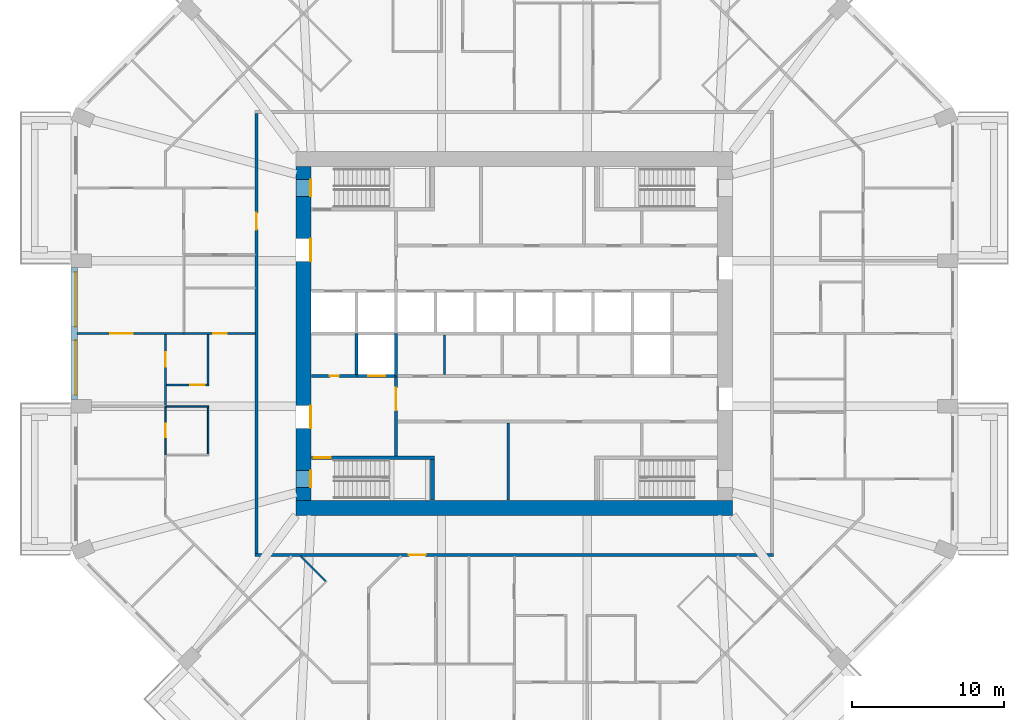
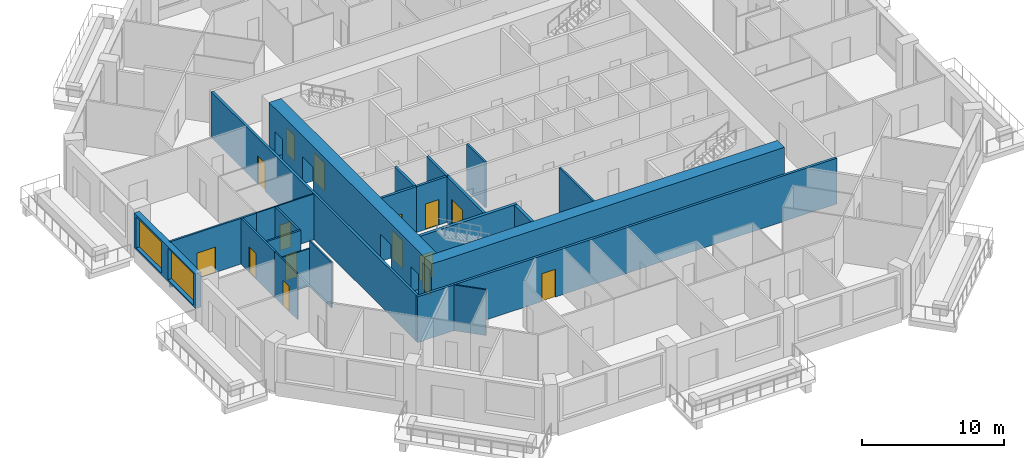
# One storey, part 4 of 13: 23 walls, 15 doors, 2 windows, 17 openings.
"""IFC4 building model written with IfcOpenShell, lengths in metres."""

from ifc_helpers import new_model, si_unit, direction, frame, frame_2d, origin, place, context, subcontext, project, spatial, rectangle, extrude, material, layer, layer_set, type_object, element, fill, save


model = new_model("IFC4")

# Units and contexts
model_context = context("Model", 3, precision=1e-05, world=origin(), true_north=direction((0.0, 1.0)))
body_context = subcontext(model_context, "Body", "Model", "MODEL_VIEW")
ifc_project = project(units=[si_unit("LENGTHUNIT", "METRE"), si_unit("AREAUNIT", "SQUARE_METRE"), si_unit("VOLUMEUNIT", "CUBIC_METRE"), si_unit("PLANEANGLEUNIT", "RADIAN"), si_unit("MASSUNIT", "GRAM", prefix="KILO")], contexts=[model_context])

# Site, building, storey
site_placement = place(None, origin())
site = spatial("IfcSite", under=ifc_project, at=site_placement, CompositionType="ELEMENT")
building_placement = place(site_placement, origin())
building = spatial("IfcBuilding", under=site, at=building_placement, Name="Msitu Wima Residences", CompositionType="ELEMENT")
storey_placement = place(building_placement, frame((0.0, 0.0, 33.89990234375)))
storey = spatial("IfcBuildingStorey", under=building, at=storey_placement, Name="L07", CompositionType="ELEMENT", Elevation=33.89990234375)

# Wall, openings, windows
ifc_material_1 = material(Name="Brick (red buff mix)", Category="masonry")
ifc_layer_1 = layer(ifc_material_1, 0.449951171875)
ifc_layer_set_1 = layer_set([ifc_layer_1], Name="Brick (red buff mix)")
wall_type_1 = type_object("IfcWallType", Name="Brick infill wall BW450", PredefinedType="SOLIDWALL", material=ifc_layer_set_1)
wall_1_placement = place(storey_placement, frame((-29.02490234375, 4.35009765625, 0.900146484375), z_axis=(0.0, 0.0, 1.0), x_axis=(0.0, -1.0, 0.0)))
wall_1 = element("IfcWall", 1, at=wall_1_placement, inside=storey, type_object=wall_type_1, Name="Brick infill wall L07 W1", PredefinedType="SOLIDWALL", context=body_context, shape_type="SweptSolid", body=[
    extrude(rectangle(XDim=8.7001953125, YDim=0.449951171875, at=frame_2d((4.35009765625, 0.0))), origin(), (0.0, 0.0, 1.0), 3.0),
])
opening_1_placement = place(wall_1_placement, frame((0.300048828125, 0.0, 0.14990234375)))
opening_1 = element("IfcOpeningElement", 2, at=opening_1_placement, cuts=wall_1, Name="Opening W05-07.028", PredefinedType="OPENING", context=body_context, shape_type="SweptSolid", body=[
    extrude(rectangle(XDim=3.60009765625, YDim=2.699951171875, at=frame_2d((1.800048828125, 1.35009765625))), frame((0.0, 0.23486328125, 0.0), z_axis=(0.0, -1.0, 0.0), x_axis=(1.0, 0.0, 0.0)), (0.0, 0.0, 1.0), 0.469970703125),
])
opening_2_placement = place(wall_1_placement, frame((4.800048828125, 0.0, 0.14990234375)))
opening_2 = element("IfcOpeningElement", 3, at=opening_2_placement, cuts=wall_1, Name="Opening W05-07.029", PredefinedType="OPENING", context=body_context, shape_type="SweptSolid", body=[
    extrude(rectangle(XDim=3.60009765625, YDim=2.699951171875, at=frame_2d((1.800048828125, 1.35009765625))), frame((0.0, 0.23486328125, 0.0), z_axis=(0.0, -1.0, 0.0), x_axis=(1.0, 0.0, 0.0)), (0.0, 0.0, 1.0), 0.469970703125),
])
ifc_material_2 = material(Name="Anodised aluminium, bronze finish, clear low-emissivity double glazing", Category="aluminium")
window_type = type_object("IfcWindowType", Name="Window W3600x2700", PartitioningType="DOUBLE_PANEL_VERTICAL", PredefinedType="WINDOW", material=ifc_material_2)
window_1_placement = place(opening_1_placement, origin())
window_1 = element("IfcWindow", 4, at=window_1_placement, inside=storey, type_object=window_type, Name="Window L07 W1.1", OverallHeight=2.699951171875, OverallWidth=3.60009765625, PartitioningType="SINGLE_PANEL", PredefinedType="WINDOW", context=body_context, shape_type="SweptSolid", body=[
    extrude(rectangle(XDim=3.60009765625, YDim=2.699951171875, at=frame_2d((1.800048828125, 1.35009765625))), frame((0.0, 0.135009765625, 0.0), z_axis=(0.0, -1.0, 0.0), x_axis=(1.0, 0.0, 0.0)), (0.0, 0.0, 1.0), 0.06005859375),
])
fill(opening_1, window_1)
window_2_placement = place(opening_2_placement, origin())
window_2 = element("IfcWindow", 5, at=window_2_placement, inside=storey, type_object=window_type, Name="Window L07 W1.2", OverallHeight=2.699951171875, OverallWidth=3.60009765625, PartitioningType="SINGLE_PANEL", PredefinedType="WINDOW", context=body_context, shape_type="SweptSolid", body=[
    extrude(rectangle(XDim=3.60009765625, YDim=2.699951171875, at=frame_2d((1.800048828125, 1.35009765625))), frame((0.0, 0.135009765625, 0.0), z_axis=(0.0, -1.0, 0.0), x_axis=(1.0, 0.0, 0.0)), (0.0, 0.0, 1.0), 0.06005859375),
])
fill(opening_2, window_2)

# Wall
ifc_material_3 = material(Name="Concrete C80/95", Category="concrete")
ifc_layer_2 = layer(ifc_material_3, 1.0)
ifc_layer_set_2 = layer_set([ifc_layer_2], Name="Concrete C80/95")
wall_type_2 = type_object("IfcWallType", Name="Core wall CW1000 C80/95", PredefinedType="SHEAR", material=ifc_layer_set_2)
wall_2_placement = place(storey_placement, frame((-14.39990234375, -11.5, 0.0), z_axis=(0.0, 0.0, 1.0), x_axis=(1.0, 0.0, 0.0)))
element("IfcWall", 6, at=wall_2_placement, inside=storey, type_object=wall_type_2, Name="Core wall", PredefinedType="SHEAR", context=body_context, shape_type="SweptSolid", body=[
    extrude(rectangle(XDim=28.7998046875, YDim=1.0, at=frame_2d((14.39990234375, 0.0))), origin(), (0.0, 0.0, 1.0), 4.2001953125),
])

# Wall, openings, doors
wall_3_placement = place(storey_placement, frame((-13.89990234375, -11.0, 0.0), z_axis=(0.0, 0.0, 1.0), x_axis=(0.0, 1.0, 0.0)))
wall_3 = element("IfcWall", 7, at=wall_3_placement, inside=storey, type_object=wall_type_2, Name="Core wall", PredefinedType="SHEAR", context=body_context, shape_type="SweptSolid", body=[
    extrude(rectangle(XDim=22.0, YDim=1.0, at=frame_2d((11.0, 0.0))), origin(), (0.0, 0.0, 1.0), 4.2001953125),
])
opening_3_placement = place(wall_3_placement, frame((20.050048828125, 0.0, 0.0)))
opening_3 = element("IfcOpeningElement", 8, at=opening_3_placement, cuts=wall_3, Name="Opening D05-07.036", PredefinedType="OPENING", context=body_context, shape_type="SweptSolid", body=[
    extrude(rectangle(XDim=1.10009765625, YDim=2.199951171875, at=frame_2d((0.550048828125, 1.10009765625))), frame((0.0, 0.510009765625, 0.0), z_axis=(0.0, -1.0, 0.0), x_axis=(1.0, 0.0, 0.0)), (0.0, 0.0, 1.0), 1.02001953125),
])
opening_4_placement = place(wall_3_placement, frame((0.85009765625, 0.0, 0.0)))
opening_4 = element("IfcOpeningElement", 9, at=opening_4_placement, cuts=wall_3, Name="Opening D05-07.038", PredefinedType="OPENING", context=body_context, shape_type="SweptSolid", body=[
    extrude(rectangle(XDim=1.10009765625, YDim=2.199951171875, at=frame_2d((0.550048828125, 1.10009765625))), frame((0.0, 0.510009765625, 0.0), z_axis=(0.0, -1.0, 0.0), x_axis=(1.0, 0.0, 0.0)), (0.0, 0.0, 1.0), 1.02001953125),
])
opening_5_placement = place(wall_3_placement, frame((15.75, 0.0, 0.0)))
opening_5 = element("IfcOpeningElement", 10, at=opening_5_placement, cuts=wall_3, Name="Opening D05-07.016", PredefinedType="OPENING", context=body_context, shape_type="SweptSolid", body=[
    extrude(rectangle(XDim=1.5, YDim=2.39990234375, at=frame_2d((0.75, 1.199951171875))), frame((0.0, 0.510009765625, 0.0), z_axis=(0.0, -1.0, 0.0), x_axis=(1.0, 0.0, 0.0)), (0.0, 0.0, 1.0), 1.02001953125),
])
opening_6_placement = place(wall_3_placement, frame((4.75, 0.0, 0.0)))
opening_6 = element("IfcOpeningElement", 11, at=opening_6_placement, cuts=wall_3, Name="Opening D05-07.018", PredefinedType="OPENING", context=body_context, shape_type="SweptSolid", body=[
    extrude(rectangle(XDim=1.5, YDim=2.39990234375, at=frame_2d((0.75, 1.199951171875))), frame((0.0, 0.510009765625, 0.0), z_axis=(0.0, -1.0, 0.0), x_axis=(1.0, 0.0, 0.0)), (0.0, 0.0, 1.0), 1.02001953125),
])
ifc_material_4 = material(Name="Steel framed glazed door, fire resisting", Category="steel")
door_type_1 = type_object("IfcDoorType", Name="Lobby door D07 1500x2400", OperationType="DOUBLE_DOOR_SINGLE_SWING", PredefinedType="DOOR", material=ifc_material_4)
door_1_placement = place(opening_5_placement, origin())
door_1 = element("IfcDoor", 12, at=door_1_placement, inside=storey, type_object=door_type_1, Name="Lobby door", OperationType="DOUBLE_DOOR_SINGLE_SWING", OverallHeight=2.39990234375, OverallWidth=1.5, PredefinedType="DOOR", context=body_context, shape_type="SweptSolid", body=[
    extrude(rectangle(XDim=1.5, YDim=2.39990234375, at=frame_2d((0.75, 1.199951171875))), frame((0.0, -0.44482421875, 0.0), z_axis=(0.0, -1.0, 0.0), x_axis=(1.0, 0.0, 0.0)), (0.0, 0.0, 1.0), 0.050048828125),
])
fill(opening_5, door_1)
door_2_placement = place(opening_6_placement, origin())
door_2 = element("IfcDoor", 13, at=door_2_placement, inside=storey, type_object=door_type_1, Name="Lobby door", OperationType="DOUBLE_DOOR_SINGLE_SWING", OverallHeight=2.39990234375, OverallWidth=1.5, PredefinedType="DOOR", context=body_context, shape_type="SweptSolid", body=[
    extrude(rectangle(XDim=1.5, YDim=2.39990234375, at=frame_2d((0.75, 1.199951171875))), frame((0.0, -0.44482421875, 0.0), z_axis=(0.0, -1.0, 0.0), x_axis=(1.0, 0.0, 0.0)), (0.0, 0.0, 1.0), 0.050048828125),
])
fill(opening_6, door_2)
ifc_material_5 = material(Name="Steel door, fire resisting, panic bar", Category="steel")
door_type_2 = type_object("IfcDoorType", Name="Stair door D06 1100x2200", OperationType="SINGLE_SWING_LEFT", PredefinedType="DOOR", material=ifc_material_5)
door_3_placement = place(opening_3_placement, origin())
door_3 = element("IfcDoor", 14, at=door_3_placement, inside=storey, type_object=door_type_2, Name="Stair door", OperationType="SINGLE_SWING_RIGHT", OverallHeight=2.199951171875, OverallWidth=1.10009765625, PredefinedType="DOOR", context=body_context, shape_type="SweptSolid", body=[
    extrude(rectangle(XDim=1.10009765625, YDim=2.199951171875, at=frame_2d((0.550048828125, 1.10009765625))), frame((0.0, -0.44482421875, 0.0), z_axis=(0.0, -1.0, 0.0), x_axis=(1.0, 0.0, 0.0)), (0.0, 0.0, 1.0), 0.050048828125),
])
fill(opening_3, door_3)
door_4_placement = place(opening_4_placement, origin())
door_4 = element("IfcDoor", 15, at=door_4_placement, inside=storey, type_object=door_type_2, Name="Stair door", OperationType="SINGLE_SWING_LEFT", OverallHeight=2.199951171875, OverallWidth=1.10009765625, PredefinedType="DOOR", context=body_context, shape_type="SweptSolid", body=[
    extrude(rectangle(XDim=1.10009765625, YDim=2.199951171875, at=frame_2d((0.550048828125, 1.10009765625))), frame((0.0, -0.44482421875, 0.0), z_axis=(0.0, -1.0, 0.0), x_axis=(1.0, 0.0, 0.0)), (0.0, 0.0, 1.0), 0.050048828125),
])
fill(opening_4, door_4)

# Wall, opening, door
ifc_material_6 = material(Name="Plaster")
ifc_layer_3 = layer(ifc_material_6, 0.011962890625, Name="Plaster")
ifc_material_7 = material(Name="Concrete blockwork", Category="masonry")
ifc_layer_4 = layer(ifc_material_7, 0.176025390625, Name="Concrete blockwork")
ifc_layer_5 = layer(ifc_material_6, 0.011962890625, Name="Plaster")
ifc_layer_set_3 = layer_set([ifc_layer_3, ifc_layer_4, ifc_layer_5], Name="Concrete blockwork")
wall_type_3 = type_object("IfcWallType", Name="Corridor wall FW200", PredefinedType="PARTITIONING", material=ifc_layer_set_3)
wall_4_placement = place(storey_placement, frame((-17.0, -14.5, 0.0), z_axis=(0.0, 0.0, 1.0), x_axis=(0.0, 1.0, 0.0)))
wall_4 = element("IfcWall", 16, at=wall_4_placement, inside=storey, type_object=wall_type_3, Name="Corridor wall", PredefinedType="PARTITIONING", context=body_context, shape_type="SweptSolid", body=[
    extrude(rectangle(XDim=29.0, YDim=0.199951171875, at=frame_2d((14.5, 0.0))), origin(), (0.0, 0.0, 1.0), 3.9501953125),
])
opening_7_placement = place(wall_4_placement, frame((21.35009765625, 0.0, 0.0)))
opening_7 = element("IfcOpeningElement", 17, at=opening_7_placement, cuts=wall_4, Name="Opening D05-07.013", PredefinedType="OPENING", context=body_context, shape_type="SweptSolid", body=[
    extrude(rectangle(XDim=1.10009765625, YDim=2.39990234375, at=frame_2d((0.550048828125, 1.199951171875))), frame((0.0, 0.10986328125, 0.0), z_axis=(0.0, -1.0, 0.0), x_axis=(1.0, 0.0, 0.0)), (0.0, 0.0, 1.0), 0.219970703125),
])
ifc_material_8 = material(Name="Timber flush door, fire resisting, self-closing", Category="wood")
door_type_3 = type_object("IfcDoorType", Name="Flat entrance door D01 1100x2400", OperationType="SINGLE_SWING_LEFT", PredefinedType="DOOR", material=ifc_material_8)
door_5_placement = place(opening_7_placement, origin())
door_5 = element("IfcDoor", 18, at=door_5_placement, inside=storey, type_object=door_type_3, Name="Flat entrance door", OperationType="SINGLE_SWING_RIGHT", OverallHeight=2.39990234375, OverallWidth=1.10009765625, PredefinedType="DOOR", context=body_context, shape_type="SweptSolid", body=[
    extrude(rectangle(XDim=1.10009765625, YDim=2.39990234375, at=frame_2d((0.550048828125, 1.199951171875))), frame((0.0, 0.02490234375, 0.0), z_axis=(0.0, -1.0, 0.0), x_axis=(1.0, 0.0, 0.0)), (0.0, 0.0, 1.0), 0.050048828125),
])
fill(opening_7, door_5)

wall_5_placement = place(storey_placement, frame((-17.10009765625, -14.60009765625, 0.0), z_axis=(0.0, 0.0, 1.0), x_axis=(1.0, 0.0, 0.0)))
wall_5 = element("IfcWall", 19, at=wall_5_placement, inside=storey, type_object=wall_type_3, Name="Corridor wall", PredefinedType="PARTITIONING", context=body_context, shape_type="SweptSolid", body=[
    extrude(rectangle(XDim=34.2001953125, YDim=0.199951171875, at=frame_2d((17.10009765625, 0.0))), origin(), (0.0, 0.0, 1.0), 3.9501953125),
])
opening_8_placement = place(wall_5_placement, frame((10.14990234375, 0.0, 0.0)))
opening_8 = element("IfcOpeningElement", 20, at=opening_8_placement, cuts=wall_5, Name="Opening D05-07.014", PredefinedType="OPENING", context=body_context, shape_type="SweptSolid", body=[
    extrude(rectangle(XDim=1.10009765625, YDim=2.39990234375, at=frame_2d((0.550048828125, 1.199951171875))), frame((0.0, 0.10986328125, 0.0), z_axis=(0.0, -1.0, 0.0), x_axis=(1.0, 0.0, 0.0)), (0.0, 0.0, 1.0), 0.219970703125),
])
door_6_placement = place(opening_8_placement, origin())
door_6 = element("IfcDoor", 21, at=door_6_placement, inside=storey, type_object=door_type_3, Name="Flat entrance door", OperationType="SINGLE_SWING_RIGHT", OverallHeight=2.39990234375, OverallWidth=1.10009765625, PredefinedType="DOOR", context=body_context, shape_type="SweptSolid", body=[
    extrude(rectangle(XDim=1.10009765625, YDim=2.39990234375, at=frame_2d((0.550048828125, 1.199951171875))), frame((0.0, 0.02490234375, 0.0), z_axis=(0.0, -1.0, 0.0), x_axis=(1.0, 0.0, 0.0)), (0.0, 0.0, 1.0), 0.050048828125),
])
fill(opening_8, door_6)

wall_6_placement = place(storey_placement, frame((-7.800048828125, -8.074951171875, 0.0), z_axis=(0.0, 0.0, 1.0), x_axis=(0.0, 1.0, 0.0)))
wall_6 = element("IfcWall", 22, at=wall_6_placement, inside=storey, type_object=wall_type_3, Name="Corridor wall", PredefinedType="PARTITIONING", context=body_context, shape_type="SweptSolid", body=[
    extrude(rectangle(XDim=5.27490234375, YDim=0.199951171875, at=frame_2d((2.637451171875, 0.0))), origin(), (0.0, 0.0, 1.0), 3.9501953125),
])
opening_9_placement = place(wall_6_placement, frame((3.0, 0.0, 0.0)))
opening_9 = element("IfcOpeningElement", 23, at=opening_9_placement, cuts=wall_6, Name="Opening D05-07.019", PredefinedType="OPENING", context=body_context, shape_type="SweptSolid", body=[
    extrude(rectangle(XDim=1.5, YDim=2.39990234375, at=frame_2d((0.75, 1.199951171875))), frame((0.0, 0.10986328125, 0.0), z_axis=(0.0, -1.0, 0.0), x_axis=(1.0, 0.0, 0.0)), (0.0, 0.0, 1.0), 0.219970703125),
])
door_7_placement = place(opening_9_placement, origin())
door_7 = element("IfcDoor", 24, at=door_7_placement, inside=storey, type_object=door_type_1, Name="Lobby door", OperationType="DOUBLE_DOOR_SINGLE_SWING", OverallHeight=2.39990234375, OverallWidth=1.5, PredefinedType="DOOR", context=body_context, shape_type="SweptSolid", body=[
    extrude(rectangle(XDim=1.5, YDim=2.39990234375, at=frame_2d((0.75, 1.199951171875))), frame((0.0, 0.02490234375, 0.0), z_axis=(0.0, -1.0, 0.0), x_axis=(1.0, 0.0, 0.0)), (0.0, 0.0, 1.0), 0.050048828125),
])
fill(opening_9, door_7)

ifc_layer_6 = layer(ifc_material_6, 0.011962890625, Name="Plaster")
ifc_layer_7 = layer(ifc_material_7, 0.1259765625, Name="Concrete blockwork")
ifc_layer_8 = layer(ifc_material_6, 0.011962890625, Name="Plaster")
ifc_layer_set_4 = layer_set([ifc_layer_6, ifc_layer_7, ifc_layer_8], Name="Concrete blockwork")
wall_type_4 = type_object("IfcWallType", Name="Partition PW150", PredefinedType="PARTITIONING", material=ifc_layer_set_4)
wall_7_placement = place(storey_placement, frame((-28.85498046875, 0.0, 0.0), z_axis=(0.0, 0.0, 1.0), x_axis=(1.0, 0.0, 0.0)))
wall_7 = element("IfcWall", 25, at=wall_7_placement, inside=storey, type_object=wall_type_4, Name="Partition", PredefinedType="PARTITIONING", context=body_context, shape_type="SweptSolid", body=[
    extrude(rectangle(XDim=7.054931640625, YDim=0.14990234375, at=frame_2d((3.52734375, 0.0))), origin(), (0.0, 0.0, 1.0), 3.9501953125),
])
opening_10_placement = place(wall_7_placement, frame((2.199951171875, 0.0, 0.0)))
opening_10 = element("IfcOpeningElement", 26, at=opening_10_placement, cuts=wall_7, Name="Opening D05-07.067", PredefinedType="OPENING", context=body_context, shape_type="SweptSolid", body=[
    extrude(rectangle(XDim=1.5, YDim=2.199951171875, at=frame_2d((0.75, 1.10009765625))), frame((0.0, 0.0849609375, 0.0), z_axis=(0.0, -1.0, 0.0), x_axis=(1.0, 0.0, 0.0)), (0.0, 0.0, 1.0), 0.169921875),
])
ifc_material_9 = material(Name="Timber double door", Category="wood")
door_type_4 = type_object("IfcDoorType", Name="Double door D04 1500x2200", OperationType="DOUBLE_DOOR_SINGLE_SWING", PredefinedType="DOOR", material=ifc_material_9)
door_8_placement = place(opening_10_placement, origin())
door_8 = element("IfcDoor", 27, at=door_8_placement, inside=storey, type_object=door_type_4, Name="Double door", OperationType="DOUBLE_DOOR_SINGLE_SWING", OverallHeight=2.199951171875, OverallWidth=1.5, PredefinedType="DOOR", context=body_context, shape_type="SweptSolid", body=[
    extrude(rectangle(XDim=1.5, YDim=2.199951171875, at=frame_2d((0.75, 1.10009765625))), frame((0.0, 0.02490234375, 0.0), z_axis=(0.0, -1.0, 0.0), x_axis=(1.0, 0.0, 0.0)), (0.0, 0.0, 1.0), 0.050048828125),
])
fill(opening_10, door_8)

wall_8_placement = place(storey_placement, frame((-23.0, -4.800048828125, 0.0), z_axis=(0.0, 0.0, 1.0), x_axis=(0.0, 1.0, 0.0)))
wall_8 = element("IfcWall", 28, at=wall_8_placement, inside=storey, type_object=wall_type_4, Name="Partition", PredefinedType="PARTITIONING", context=body_context, shape_type="SweptSolid", body=[
    extrude(rectangle(XDim=4.72509765625, YDim=0.14990234375, at=frame_2d((2.362548828125, 0.0))), origin(), (0.0, 0.0, 1.0), 3.9501953125),
])
opening_11_placement = place(wall_8_placement, frame((2.60009765625, 0.0, 0.0)))
opening_11 = element("IfcOpeningElement", 29, at=opening_11_placement, cuts=wall_8, Name="Opening D05-07.069", PredefinedType="OPENING", context=body_context, shape_type="SweptSolid", body=[
    extrude(rectangle(XDim=0.949951171875, YDim=2.199951171875, at=frame_2d((0.47509765625, 1.10009765625))), frame((0.0, 0.0849609375, 0.0), z_axis=(0.0, -1.0, 0.0), x_axis=(1.0, 0.0, 0.0)), (0.0, 0.0, 1.0), 0.169921875),
])
ifc_material_10 = material(Name="Timber flush door", Category="wood")
door_type_5 = type_object("IfcDoorType", Name="Room door D12 950x2200", OperationType="SINGLE_SWING_LEFT", PredefinedType="DOOR", material=ifc_material_10)
door_9_placement = place(opening_11_placement, origin())
door_9 = element("IfcDoor", 30, at=door_9_placement, inside=storey, type_object=door_type_5, Name="Room door", OperationType="SINGLE_SWING_RIGHT", OverallHeight=2.199951171875, OverallWidth=0.949951171875, PredefinedType="DOOR", context=body_context, shape_type="SweptSolid", body=[
    extrude(rectangle(XDim=0.949951171875, YDim=2.199951171875, at=frame_2d((0.47509765625, 1.10009765625))), frame((0.0, 0.02490234375, 0.0), z_axis=(0.0, -1.0, 0.0), x_axis=(1.0, 0.0, 0.0)), (0.0, 0.0, 1.0), 0.050048828125),
])
fill(opening_11, door_9)

wall_9_placement = place(storey_placement, frame((-22.925048828125, -3.39990234375, 0.0), z_axis=(0.0, 0.0, 1.0), x_axis=(1.0, 0.0, 0.0)))
wall_9 = element("IfcWall", 31, at=wall_9_placement, inside=storey, type_object=wall_type_4, Name="Partition", PredefinedType="PARTITIONING", context=body_context, shape_type="SweptSolid", body=[
    extrude(rectangle(XDim=2.800048828125, YDim=0.14990234375, at=frame_2d((1.39990234375, 0.0))), origin(), (0.0, 0.0, 1.0), 3.9501953125),
])
opening_12_placement = place(wall_9_placement, frame((1.550048828125, 0.0, 0.0)))
opening_12 = element("IfcOpeningElement", 32, at=opening_12_placement, cuts=wall_9, Name="Opening D05-07.071", PredefinedType="OPENING", context=body_context, shape_type="SweptSolid", body=[
    extrude(rectangle(XDim=0.949951171875, YDim=2.199951171875, at=frame_2d((0.47509765625, 1.10009765625))), frame((0.0, 0.0849609375, 0.0), z_axis=(0.0, -1.0, 0.0), x_axis=(1.0, 0.0, 0.0)), (0.0, 0.0, 1.0), 0.169921875),
])
door_10_placement = place(opening_12_placement, origin())
door_10 = element("IfcDoor", 33, at=door_10_placement, inside=storey, type_object=door_type_5, Name="Room door", OperationType="SINGLE_SWING_RIGHT", OverallHeight=2.199951171875, OverallWidth=0.949951171875, PredefinedType="DOOR", context=body_context, shape_type="SweptSolid", body=[
    extrude(rectangle(XDim=0.949951171875, YDim=2.199951171875, at=frame_2d((0.47509765625, 1.10009765625))), frame((0.0, 0.02490234375, 0.0), z_axis=(0.0, -1.0, 0.0), x_axis=(1.0, 0.0, 0.0)), (0.0, 0.0, 1.0), 0.050048828125),
])
fill(opening_12, door_10)

# Walls
wall_10_placement = place(storey_placement, frame((-20.199951171875, -3.324951171875, 0.0), z_axis=(0.0, 0.0, 1.0), x_axis=(0.0, 1.0, 0.0)))
element("IfcWall", 34, at=wall_10_placement, inside=storey, type_object=wall_type_4, Name="Partition", PredefinedType="PARTITIONING", context=body_context, shape_type="SweptSolid", body=[
    extrude(rectangle(XDim=3.27490234375, YDim=0.14990234375, at=frame_2d((1.637451171875, 0.0))), origin(), (0.0, 0.0, 1.0), 3.9501953125),
])
wall_11_placement = place(storey_placement, frame((-4.60009765625, -2.699951171875, 0.0), z_axis=(0.0, 0.0, 1.0), x_axis=(0.0, 1.0, 0.0)))
element("IfcWall", 35, at=wall_11_placement, inside=storey, type_object=wall_type_4, Name="Partition", PredefinedType="PARTITIONING", context=body_context, shape_type="SweptSolid", body=[
    extrude(rectangle(XDim=2.599853515625, YDim=0.14990234375, at=frame_2d((1.2998046875, 0.0))), origin(), (0.0, 0.0, 1.0), 3.9501953125),
])
wall_12_placement = place(storey_placement, frame((-0.39990234375, -10.969970703125, 0.0), z_axis=(0.0, 0.0, 1.0), x_axis=(0.0, 1.0, 0.0)))
element("IfcWall", 36, at=wall_12_placement, inside=storey, type_object=wall_type_4, Name="Partition", PredefinedType="PARTITIONING", context=body_context, shape_type="SweptSolid", body=[
    extrude(rectangle(XDim=5.070068359375, YDim=0.14990234375, at=frame_2d((2.53515625, 0.0))), origin(), (0.0, 0.0, 1.0), 3.9501953125),
])

# Wall, opening, door
ifc_layer_9 = layer(ifc_material_6, 0.011962890625, Name="Plaster")
ifc_material_11 = material(Name="Reinforced concrete blockwork", Category="masonry")
ifc_layer_10 = layer(ifc_material_11, 0.176025390625, Name="Reinforced concrete blockwork")
ifc_layer_11 = layer(ifc_material_6, 0.011962890625, Name="Plaster")
ifc_layer_set_5 = layer_set([ifc_layer_9, ifc_layer_10, ifc_layer_11], Name="Reinforced concrete blockwork")
wall_type_5 = type_object("IfcWallType", Name="Plant and riser wall PL200", PredefinedType="PARTITIONING", material=ifc_layer_set_5)
wall_13_placement = place(storey_placement, frame((-13.3701171875, -2.800048828125, 0.0), z_axis=(0.0, 0.0, 1.0), x_axis=(1.0, 0.0, 0.0)))
wall_13 = element("IfcWall", 37, at=wall_13_placement, inside=storey, type_object=wall_type_5, Name="Plant and riser wall", PredefinedType="PARTITIONING", context=body_context, shape_type="SweptSolid", body=[
    extrude(rectangle(XDim=2.990234375, YDim=0.199951171875, at=frame_2d((1.4951171875, 0.0))), origin(), (0.0, 0.0, 1.0), 3.9501953125),
])
opening_13_placement = place(wall_13_placement, frame((1.199951171875, 0.0, 0.0)))
opening_13 = element("IfcOpeningElement", 38, at=opening_13_placement, cuts=wall_13, Name="Opening D05-07.030", PredefinedType="OPENING", context=body_context, shape_type="SweptSolid", body=[
    extrude(rectangle(XDim=0.60009765625, YDim=2.0, at=frame_2d((0.300048828125, 1.0))), frame((0.0, 0.10986328125, 0.0), z_axis=(0.0, -1.0, 0.0), x_axis=(1.0, 0.0, 0.0)), (0.0, 0.0, 1.0), 0.219970703125),
])
ifc_material_12 = material(Name="Steel access door, fire resisting", Category="steel")
door_type_6 = type_object("IfcDoorType", Name="Riser access door D08 600x2000", OperationType="SINGLE_SWING_LEFT", PredefinedType="DOOR", material=ifc_material_12)
door_11_placement = place(opening_13_placement, origin())
door_11 = element("IfcDoor", 39, at=door_11_placement, inside=storey, type_object=door_type_6, Name="Riser access door", OperationType="SINGLE_SWING_RIGHT", OverallHeight=2.0, OverallWidth=0.60009765625, PredefinedType="DOOR", context=body_context, shape_type="SweptSolid", body=[
    extrude(rectangle(XDim=0.60009765625, YDim=2.0, at=frame_2d((0.300048828125, 1.0))), frame((0.0, 0.02490234375, 0.0), z_axis=(0.0, -1.0, 0.0), x_axis=(1.0, 0.0, 0.0)), (0.0, 0.0, 1.0), 0.050048828125),
])
fill(opening_13, door_11)

# Wall
ifc_material_13 = material(Name="Fire-rated board")
ifc_layer_12 = layer(ifc_material_13, 0.02490234375, Name="Fire-rated board")
ifc_material_14 = material(Name="Light-gauge stud framing with mineral wool")
ifc_layer_13 = layer(ifc_material_14, 0.14990234375, Name="Light-gauge stud framing with mineral wool")
ifc_layer_14 = layer(ifc_material_13, 0.02490234375, Name="Fire-rated board")
ifc_layer_set_6 = layer_set([ifc_layer_12, ifc_layer_13, ifc_layer_14], Name="Light-gauge stud framing with mineral wool")
wall_type_6 = type_object("IfcWallType", Name="Shaft wall SH200", PredefinedType="PARTITIONING", material=ifc_layer_set_6)
wall_14_placement = place(storey_placement, frame((-10.39990234375, -2.699951171875, 0.0), z_axis=(0.0, 0.0, 1.0), x_axis=(0.0, 1.0, 0.0)))
element("IfcWall", 40, at=wall_14_placement, inside=storey, type_object=wall_type_6, Name="Shaft wall", PredefinedType="PARTITIONING", context=body_context, shape_type="SweptSolid", body=[
    extrude(rectangle(XDim=2.699951171875, YDim=0.199951171875, at=frame_2d((1.35009765625, 0.0))), origin(), (0.0, 0.0, 1.0), 3.9501953125),
])

# Wall, opening, door
wall_15_placement = place(storey_placement, frame((-10.3798828125, -2.800048828125, 0.0), z_axis=(0.0, 0.0, 1.0), x_axis=(1.0, 0.0, 0.0)))
wall_15 = element("IfcWall", 41, at=wall_15_placement, inside=storey, type_object=wall_type_6, Name="Shaft wall", PredefinedType="PARTITIONING", context=body_context, shape_type="SweptSolid", body=[
    extrude(rectangle(XDim=2.559814453125, YDim=0.199951171875, at=frame_2d((1.27978515625, 0.0))), origin(), (0.0, 0.0, 1.0), 3.9501953125),
])
opening_14_placement = place(wall_15_placement, frame((0.75, 0.0, 0.0)))
opening_14 = element("IfcOpeningElement", 42, at=opening_14_placement, cuts=wall_15, Name="Opening LD", PredefinedType="OPENING", context=body_context, shape_type="SweptSolid", body=[
    extrude(rectangle(XDim=1.10009765625, YDim=2.199951171875, at=frame_2d((0.550048828125, 1.10009765625))), frame((0.0, 0.10986328125, 0.0), z_axis=(0.0, -1.0, 0.0), x_axis=(1.0, 0.0, 0.0)), (0.0, 0.0, 1.0), 0.219970703125),
])
ifc_material_15 = material(Name="Stainless steel centre-opening landing door, rated", Category="steel")
door_type_7 = type_object("IfcDoorType", Name="Lift landing door LD 1100x2200", OperationType="DOUBLE_DOOR_SLIDING", PredefinedType="DOOR", material=ifc_material_15)
door_12_placement = place(opening_14_placement, origin())
door_12 = element("IfcDoor", 43, at=door_12_placement, inside=storey, type_object=door_type_7, Name="Lift landing door LD3", OperationType="DOUBLE_DOOR_SLIDING", OverallHeight=2.199951171875, OverallWidth=1.10009765625, PredefinedType="DOOR", context=body_context, shape_type="SweptSolid", body=[
    extrude(rectangle(XDim=1.10009765625, YDim=2.199951171875, at=frame_2d((0.550048828125, 1.10009765625))), frame((0.0, 0.02490234375, 0.0), z_axis=(0.0, -1.0, 0.0), x_axis=(1.0, 0.0, 0.0)), (0.0, 0.0, 1.0), 0.050048828125),
])
fill(opening_14, door_12)

# Wall
wall_16_placement = place(storey_placement, frame((-7.800048828125, -2.800048828125, 0.0), z_axis=(0.0, 0.0, 1.0), x_axis=(0.0, 1.0, 0.0)))
element("IfcWall", 44, at=wall_16_placement, inside=storey, type_object=wall_type_6, Name="Shaft wall", PredefinedType="PARTITIONING", context=body_context, shape_type="SweptSolid", body=[
    extrude(rectangle(XDim=2.800048828125, YDim=0.199951171875, at=frame_2d((1.39990234375, 0.0))), origin(), (0.0, 0.0, 1.0), 3.9501953125),
])

# Wall, opening, door
ifc_material_16 = material(Name="Concrete C50/60", Category="concrete")
ifc_layer_15 = layer(ifc_material_16, 0.25)
ifc_layer_set_7 = layer_set([ifc_layer_15], Name="Concrete C50/60")
wall_type_7 = type_object("IfcWallType", Name="Stair enclosure wall SW250", PredefinedType="SHEAR", material=ifc_layer_set_7)
wall_17_placement = place(storey_placement, frame((-13.3701171875, -8.199951171875, 0.0), z_axis=(0.0, 0.0, 1.0), x_axis=(1.0, 0.0, 0.0)))
wall_17 = element("IfcWall", 45, at=wall_17_placement, inside=storey, type_object=wall_type_7, Name="Stair enclosure wall", PredefinedType="SHEAR", context=body_context, shape_type="SweptSolid", body=[
    extrude(rectangle(XDim=8.09521484375, YDim=0.25, at=frame_2d((4.047607421875, 0.0))), origin(), (0.0, 0.0, 1.0), 3.9501953125),
])
opening_15_placement = place(wall_17_placement, frame((0.14990234375, 0.0, 0.0)))
opening_15 = element("IfcOpeningElement", 46, at=opening_15_placement, cuts=wall_17, Name="Opening D05-07.039", PredefinedType="OPENING", context=body_context, shape_type="SweptSolid", body=[
    extrude(rectangle(XDim=1.10009765625, YDim=2.199951171875, at=frame_2d((0.550048828125, 1.10009765625))), frame((0.0, 0.135009765625, 0.0), z_axis=(0.0, -1.0, 0.0), x_axis=(1.0, 0.0, 0.0)), (0.0, 0.0, 1.0), 0.27001953125),
])
door_13_placement = place(opening_15_placement, origin())
door_13 = element("IfcDoor", 47, at=door_13_placement, inside=storey, type_object=door_type_2, Name="Stair door", OperationType="SINGLE_SWING_RIGHT", OverallHeight=2.199951171875, OverallWidth=1.10009765625, PredefinedType="DOOR", context=body_context, shape_type="SweptSolid", body=[
    extrude(rectangle(XDim=1.10009765625, YDim=2.199951171875, at=frame_2d((0.550048828125, 1.10009765625))), frame((0.0, 0.02490234375, 0.0), z_axis=(0.0, -1.0, 0.0), x_axis=(1.0, 0.0, 0.0)), (0.0, 0.0, 1.0), 0.050048828125),
])
fill(opening_15, door_13)

# Walls
wall_18_placement = place(storey_placement, frame((-5.39990234375, -10.969970703125, 0.0), z_axis=(0.0, 0.0, 1.0), x_axis=(0.0, 1.0, 0.0)))
element("IfcWall", 48, at=wall_18_placement, inside=storey, type_object=wall_type_7, Name="Stair enclosure wall", PredefinedType="SHEAR", context=body_context, shape_type="SweptSolid", body=[
    extrude(rectangle(XDim=2.64501953125, YDim=0.25, at=frame_2d((1.322509765625, 0.0))), origin(), (0.0, 0.0, 1.0), 3.9501953125),
])
ifc_material_17 = material(Name="Ceramic tiles")
ifc_layer_16 = layer(ifc_material_17, 0.008056640625, Name="Ceramic tiles")
ifc_material_18 = material(Name="Moisture-resistant board")
ifc_layer_17 = layer(ifc_material_18, 0.012451171875, Name="Moisture-resistant board")
ifc_layer_18 = layer(ifc_material_14, 0.06689453125, Name="Light-gauge stud framing with mineral wool")
ifc_layer_19 = layer(ifc_material_18, 0.012451171875, Name="Moisture-resistant board")
ifc_layer_set_8 = layer_set([ifc_layer_16, ifc_layer_17, ifc_layer_18, ifc_layer_19], Name="Light-gauge stud framing with mineral wool")
wall_type_8 = type_object("IfcWallType", Name="Wet wall PW100", PredefinedType="PARTITIONING", material=ifc_layer_set_8)
wall_19_placement = place(storey_placement, frame((-22.97998046875, -4.800048828125, 0.0), z_axis=(0.0, 0.0, 1.0), x_axis=(1.0, 0.0, 0.0)))
element("IfcWall", 49, at=wall_19_placement, inside=storey, type_object=wall_type_8, Name="Wet wall", PredefinedType="PARTITIONING", context=body_context, shape_type="SweptSolid", body=[
    extrude(rectangle(XDim=2.830078125, YDim=0.10009765625, at=frame_2d((1.4150390625, 0.0))), origin(), (0.0, 0.0, 1.0), 3.25),
])

# Wall, opening, door
wall_20_placement = place(storey_placement, frame((-23.0, -8.0, 0.0), z_axis=(0.0, 0.0, 1.0), x_axis=(0.0, 1.0, 0.0)))
wall_20 = element("IfcWall", 50, at=wall_20_placement, inside=storey, type_object=wall_type_8, Name="Wet wall", PredefinedType="PARTITIONING", context=body_context, shape_type="SweptSolid", body=[
    extrude(rectangle(XDim=3.199951171875, YDim=0.10009765625, at=frame_2d((1.60009765625, 0.0))), origin(), (0.0, 0.0, 1.0), 3.9501953125),
])
opening_16_placement = place(wall_20_placement, frame((1.14990234375, 0.0, 0.0)))
opening_16 = element("IfcOpeningElement", 51, at=opening_16_placement, cuts=wall_20, Name="Opening D05-07.074", PredefinedType="OPENING", context=body_context, shape_type="SweptSolid", body=[
    extrude(rectangle(XDim=0.89990234375, YDim=2.199951171875, at=frame_2d((0.449951171875, 1.10009765625))), frame((0.0, 0.06005859375, 0.0), z_axis=(0.0, -1.0, 0.0), x_axis=(1.0, 0.0, 0.0)), (0.0, 0.0, 1.0), 0.1201171875),
])
ifc_material_19 = material(Name="Timber flush door, moisture resistant", Category="wood")
door_type_8 = type_object("IfcDoorType", Name="Bathroom door D03 900x2200", OperationType="SINGLE_SWING_LEFT", PredefinedType="DOOR", material=ifc_material_19)
door_14_placement = place(opening_16_placement, origin())
door_14 = element("IfcDoor", 52, at=door_14_placement, inside=storey, type_object=door_type_8, Name="Bathroom door", OperationType="SINGLE_SWING_RIGHT", OverallHeight=2.199951171875, OverallWidth=0.89990234375, PredefinedType="DOOR", context=body_context, shape_type="SweptSolid", body=[
    extrude(rectangle(XDim=0.89990234375, YDim=2.199951171875, at=frame_2d((0.449951171875, 1.10009765625))), frame((0.0, 0.02490234375, 0.0), z_axis=(0.0, -1.0, 0.0), x_axis=(1.0, 0.0, 0.0)), (0.0, 0.0, 1.0), 0.050048828125),
])
fill(opening_16, door_14)

wall_21_placement = place(storey_placement, frame((-21.800048828125, 0.0, 0.0), z_axis=(0.0, 0.0, 1.0), x_axis=(1.0, 0.0, 0.0)))
wall_21 = element("IfcWall", 53, at=wall_21_placement, inside=storey, type_object=wall_type_8, Name="Wet wall", PredefinedType="PARTITIONING", context=body_context, shape_type="SweptSolid", body=[
    extrude(rectangle(XDim=4.699951171875, YDim=0.10009765625, at=frame_2d((2.35009765625, 0.0))), origin(), (0.0, 0.0, 1.0), 3.9501953125),
])
opening_17_placement = place(wall_21_placement, frame((1.949951171875, 0.0, 0.0)))
opening_17 = element("IfcOpeningElement", 54, at=opening_17_placement, cuts=wall_21, Name="Opening D05-07.076", PredefinedType="OPENING", context=body_context, shape_type="SweptSolid", body=[
    extrude(rectangle(XDim=0.89990234375, YDim=2.199951171875, at=frame_2d((0.449951171875, 1.10009765625))), frame((0.0, 0.06005859375, 0.0), z_axis=(0.0, -1.0, 0.0), x_axis=(1.0, 0.0, 0.0)), (0.0, 0.0, 1.0), 0.1201171875),
])
door_15_placement = place(opening_17_placement, origin())
door_15 = element("IfcDoor", 55, at=door_15_placement, inside=storey, type_object=door_type_8, Name="Bathroom door", OperationType="SINGLE_SWING_RIGHT", OverallHeight=2.199951171875, OverallWidth=0.89990234375, PredefinedType="DOOR", context=body_context, shape_type="SweptSolid", body=[
    extrude(rectangle(XDim=0.89990234375, YDim=2.199951171875, at=frame_2d((0.449951171875, 1.10009765625))), frame((0.0, 0.02490234375, 0.0), z_axis=(0.0, -1.0, 0.0), x_axis=(1.0, 0.0, 0.0)), (0.0, 0.0, 1.0), 0.050048828125),
])
fill(opening_17, door_15)

# Walls
wall_22_placement = place(storey_placement, frame((-20.199951171875, -7.949951171875, 0.0), z_axis=(0.0, 0.0, 1.0), x_axis=(0.0, 1.0, 0.0)))
element("IfcWall", 56, at=wall_22_placement, inside=storey, type_object=wall_type_8, Name="Wet wall", PredefinedType="PARTITIONING", context=body_context, shape_type="SweptSolid", body=[
    extrude(rectangle(XDim=3.099853515625, YDim=0.10009765625, at=frame_2d((1.5498046875, 0.0))), origin(), (0.0, 0.0, 1.0), 3.9501953125),
])
wall_23_placement = place(storey_placement, frame((-14.104248046875, -14.670654296875, 0.0), z_axis=(0.0, 0.0, 1.0), x_axis=(0.707106781187, -0.707106781187, 0.0)))
element("IfcWall", 57, at=wall_23_placement, inside=storey, type_object=wall_type_8, Name="Wet wall", PredefinedType="PARTITIONING", context=body_context, shape_type="SweptSolid", body=[
    extrude(rectangle(XDim=2.349609375, YDim=0.10009765625, at=frame_2d((1.1748046875, 0.0))), origin(), (0.0, 0.0, 1.0), 3.9501953125),
])

save(model, "model.ifc")
